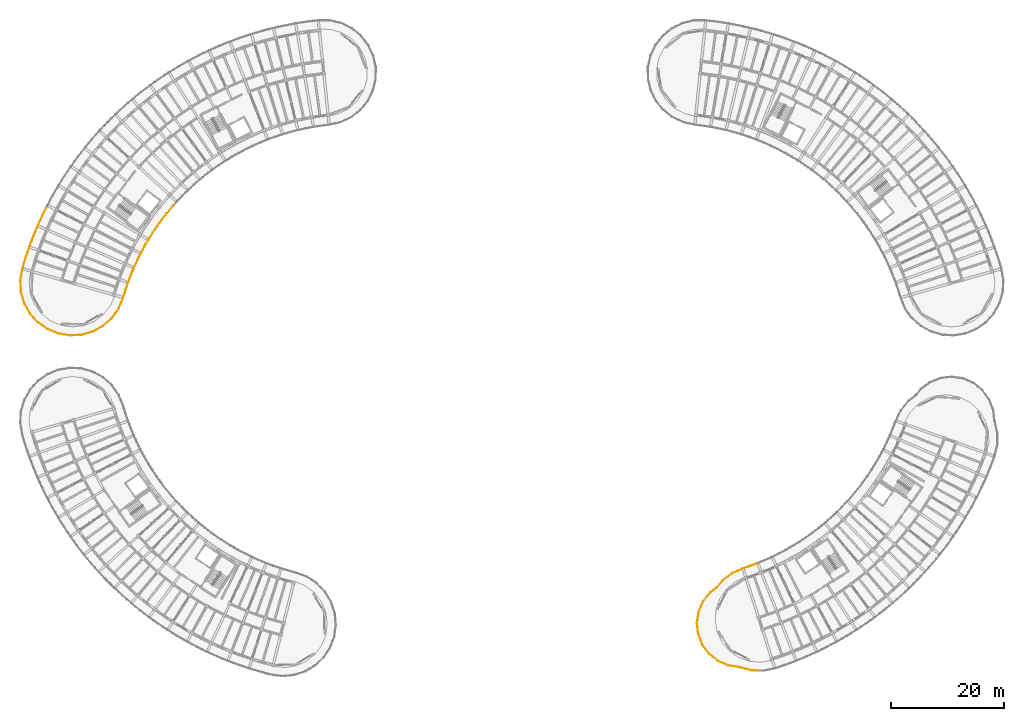
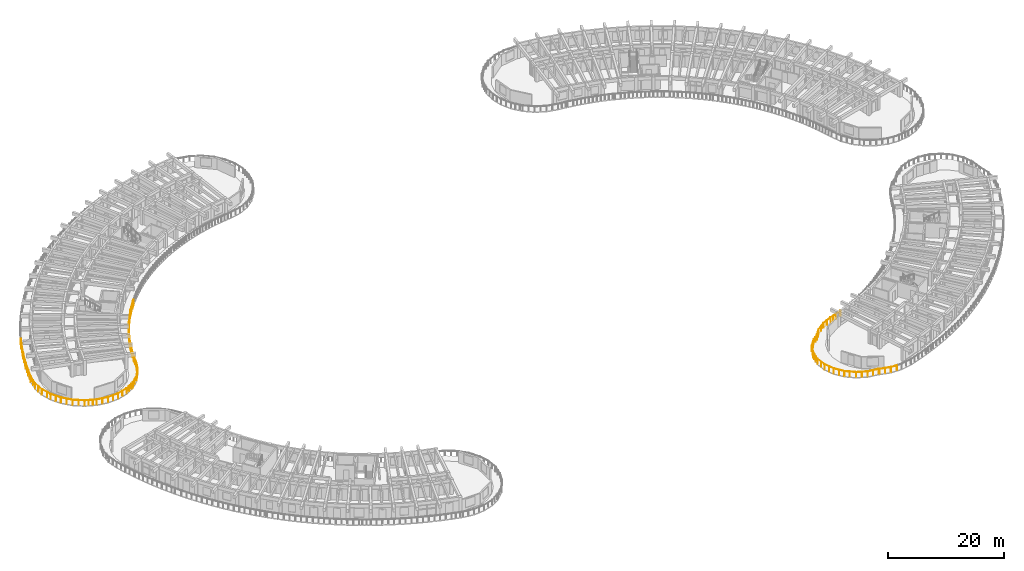
# One storey, part 69 of 81: 11 railings.
"""IFC4 building model written with IfcOpenShell, lengths in metres."""

from ifc_helpers import new_model, si_unit, direction, frame, origin, origin_2d, place, context, subcontext, project, spatial, circle, extrude, material, type_object, element, save


model = new_model("IFC4")

# Units and contexts
model_context = context("Model", 3, precision=1e-05, world=origin(), true_north=direction((0.0, 1.0)))
body_context = subcontext(model_context, "Body", "Model", "MODEL_VIEW")
ifc_project = project(units=[si_unit("LENGTHUNIT", "METRE"), si_unit("AREAUNIT", "SQUARE_METRE"), si_unit("VOLUMEUNIT", "CUBIC_METRE"), si_unit("PLANEANGLEUNIT", "RADIAN"), si_unit("MASSUNIT", "GRAM", prefix="KILO")], contexts=[model_context])

# Site, building, storey
site_placement = place(None, origin())
site = spatial("IfcSite", under=ifc_project, at=site_placement, CompositionType="ELEMENT")
building_placement = place(site_placement, origin())
building = spatial("IfcBuilding", under=site, at=building_placement, Name="Tanwirah Colonnade Gardens", CompositionType="ELEMENT")
storey_placement = place(building_placement, frame((0.0, 0.0, 18.919921875)))
storey = spatial("IfcBuildingStorey", under=building, at=storey_placement, Name="L05", CompositionType="ELEMENT", Elevation=18.919921875)

# Railings
ifc_material = material(Name="Precast concrete C40/50", Category="concrete")
railing_type_1 = type_object("IfcRailingType", Name="BAL-EXT110", PredefinedType="BALUSTRADE", material=ifc_material)
railing_1_placement = place(storey_placement, frame((129.3388671875, 20.4296875, 0.0)))
element("IfcRailing", 1, at=railing_1_placement, inside=storey, type_object=railing_type_1, Name="Block D L05 Balcony Ribbon Balustrade 1", PredefinedType="BALUSTRADE", context=body_context, shape_type="SweptSolid", body=[
    extrude(circle(Radius=0.02392578125, at=origin_2d()), frame((0.02001953125, 0.02392578125, 1.076171875), z_axis=(0.644227931343, 0.764833558676, 0.0), x_axis=(-0.764833558676, 0.644227931343, 0.0)), (0.0, 0.0, 1.0), 1.64990234375),
    extrude(circle(Radius=0.02392578125, at=origin_2d()), frame((1.128173828125, 1.32861328125, 1.076171875), z_axis=(0.798213561009, 0.602374560404, 0.0), x_axis=(-0.602374560404, 0.798213561009, 0.0)), (0.0, 0.0, 1.0), 2.0244140625),
    extrude(circle(Radius=0.02392578125, at=origin_2d()), frame((2.797607421875, 2.57958984375, 1.076171875), z_axis=(0.912318470045, 0.409481390559, 0.0), x_axis=(-0.409481390559, 0.912318470045, 0.0)), (0.0, 0.0, 1.0), 2.029541015625),
    extrude(circle(Radius=0.02392578125, at=origin_2d()), frame((4.707275390625, 3.43359375, 1.076171875), z_axis=(0.947251242872, 0.320491938866, 0.0), x_axis=(-0.320491938866, 0.947251242872, 0.0)), (0.0, 0.0, 1.0), 1.32763671875),
    extrude(circle(Radius=0.02392578125, at=origin_2d()), frame((6.0263671875, 3.881103515625, 1.076171875), z_axis=(0.936279647992, 0.351255492136, 0.0), x_axis=(-0.351255492136, 0.936279647992, 0.0)), (0.0, 0.0, 1.0), 1.153076171875),
    extrude(circle(Radius=0.02099609375, at=origin_2d()), origin(), (0.0, 0.0, 1.0), 1.049072265625),
    extrude(circle(Radius=0.02099609375, at=origin_2d()), frame((0.5517578125, 0.65478515625, 0.0)), (0.0, 0.0, 1.0), 1.049072265625),
    extrude(circle(Radius=0.02099609375, at=origin_2d()), frame((1.103271484375, 1.309814453125, 0.0)), (0.0, 0.0, 1.0), 1.049072265625),
    extrude(circle(Radius=0.02099609375, at=origin_2d()), frame((1.93603515625, 1.9384765625, 0.0)), (0.0, 0.0, 1.0), 1.049072265625),
    extrude(circle(Radius=0.02099609375, at=origin_2d()), frame((2.76904296875, 2.56689453125, 0.0)), (0.0, 0.0, 1.0), 1.049072265625),
    extrude(circle(Radius=0.02099609375, at=origin_2d()), frame((3.723388671875, 2.9951171875, 0.0)), (0.0, 0.0, 1.0), 1.049072265625),
    extrude(circle(Radius=0.02099609375, at=origin_2d()), frame((4.677734375, 3.423583984375, 0.0)), (0.0, 0.0, 1.0), 1.049072265625),
    extrude(circle(Radius=0.02099609375, at=origin_2d()), frame((5.336181640625, 3.646484375, 0.0)), (0.0, 0.0, 1.0), 1.049072265625),
    extrude(circle(Radius=0.02099609375, at=origin_2d()), frame((5.99462890625, 3.869140625, 0.0)), (0.0, 0.0, 1.0), 1.049072265625),
    extrude(circle(Radius=0.02099609375, at=origin_2d()), frame((7.13525390625, 4.297119140625, 0.0)), (0.0, 0.0, 1.0), 1.049072265625),
])
railing_2_placement = place(storey_placement, frame((136.70263671875, 5.71533203125, 0.0)))
element("IfcRailing", 2, at=railing_2_placement, inside=storey, type_object=railing_type_1, Name="Block D L05 Balcony Ribbon Balustrade 17", PredefinedType="BALUSTRADE", context=body_context, shape_type="SweptSolid", body=[
    extrude(circle(Radius=0.02392578125, at=origin_2d()), frame((-0.03125, 0.000732421875, 1.076171875), z_axis=(-0.999642426372, 0.026739846629, 0.0), x_axis=(-0.026739846629, -0.999642426372, 0.0)), (0.0, 0.0, 1.0), 1.078857421875),
    extrude(circle(Radius=0.02392578125, at=origin_2d()), frame((-1.171142578125, 0.038330078125, 1.076171875), z_axis=(-0.968609718191, 0.248586431299, 0.0), x_axis=(-0.248586431299, -0.968609718191, 0.0)), (0.0, 0.0, 1.0), 2.0244140625),
    extrude(circle(Radius=0.02392578125, at=origin_2d()), frame((-3.190185546875, 0.5634765625, 1.076171875), z_axis=(-0.889627198135, 0.456687473375, 0.0), x_axis=(-0.456687473375, -0.889627198135, 0.0)), (0.0, 0.0, 1.0), 0.071044921875),
    extrude(circle(Radius=0.02392578125, at=origin_2d()), frame((-3.3369140625, 0.623046875, 1.076171875), z_axis=(-0.989022709724, 0.147763593794, 0.0), x_axis=(-0.147763593794, -0.989022709724, 0.0)), (0.0, 0.0, 1.0), 1.903564453125),
    extrude(circle(Radius=0.02392578125, at=origin_2d()), frame((-5.279052734375, 0.92138671875, 1.076171875), z_axis=(-0.917019969173, 0.398841291917, 0.0), x_axis=(-0.398841291917, -0.917019969173, 0.0)), (0.0, 0.0, 1.0), 1.95263671875),
    extrude(circle(Radius=0.02392578125, at=origin_2d()), frame((-7.122802734375, 1.732177734375, 1.076171875), z_axis=(-0.782656034867, 0.622454440972, 0.0), x_axis=(-0.622454440972, -0.782656034867, 0.0)), (0.0, 0.0, 1.0), 1.068359375),
    extrude(circle(Radius=0.02099609375, at=origin_2d()), origin(), (0.0, 0.0, 1.0), 1.049072265625),
    extrude(circle(Radius=0.02099609375, at=origin_2d()), frame((-1.140869140625, 0.030517578125, 0.0)), (0.0, 0.0, 1.0), 1.049072265625),
    extrude(circle(Radius=0.02099609375, at=origin_2d()), frame((-2.151611328125, 0.2900390625, 0.0)), (0.0, 0.0, 1.0), 1.049072265625),
    extrude(circle(Radius=0.02099609375, at=origin_2d()), frame((-3.162353515625, 0.54931640625, 0.0)), (0.0, 0.0, 1.0), 1.049072265625),
    extrude(circle(Radius=0.02099609375, at=origin_2d()), frame((-3.28125, 0.6103515625, 0.0)), (0.0, 0.0, 1.0), 1.049072265625),
    extrude(circle(Radius=0.02099609375, at=origin_2d()), frame((-4.2783203125, 0.763671875, 0.0)), (0.0, 0.0, 1.0), 1.049072265625),
    extrude(circle(Radius=0.02099609375, at=origin_2d()), frame((-5.25048828125, 0.908935546875, 0.0)), (0.0, 0.0, 1.0), 1.049072265625),
    extrude(circle(Radius=0.02099609375, at=origin_2d()), frame((-6.17431640625, 1.310791015625, 0.0)), (0.0, 0.0, 1.0), 1.049072265625),
    extrude(circle(Radius=0.02099609375, at=origin_2d()), frame((-7.098388671875, 1.712646484375, 0.0)), (0.0, 0.0, 1.0), 1.049072265625),
    extrude(circle(Radius=0.02099609375, at=origin_2d()), frame((-7.9833984375, 2.41650390625, 0.0)), (0.0, 0.0, 1.0), 1.049072265625),
])
railing_3_placement = place(storey_placement, frame((128.71923828125, 8.1318359375, 0.0)))
element("IfcRailing", 3, at=railing_3_placement, inside=storey, type_object=railing_type_1, Name="Block D L05 Balcony Ribbon Balustrade 18", PredefinedType="BALUSTRADE", context=body_context, shape_type="SweptSolid", body=[
    extrude(circle(Radius=0.02392578125, at=origin_2d()), frame((-0.0244140625, 0.01953125, 1.076171875), z_axis=(-0.782616336967, 0.622504352685, 0.0), x_axis=(-0.622504352685, -0.782616336967, 0.0)), (0.0, 0.0, 1.0), 0.82177734375),
    extrude(circle(Radius=0.02392578125, at=origin_2d()), frame((-0.710693359375, 0.57568359375, 1.076171875), z_axis=(-0.594850833689, 0.803836106218, 0.0), x_axis=(-0.803836106218, -0.594850833689, 0.0)), (0.0, 0.0, 1.0), 1.95263671875),
    extrude(circle(Radius=0.02392578125, at=origin_2d()), frame((-1.90234375, 2.199462890625, 1.076171875), z_axis=(-0.366476847839, 0.930427170711, 0.0), x_axis=(-0.930427170711, -0.366476847839, 0.0)), (0.0, 0.0, 1.0), 1.95263671875),
    extrude(circle(Radius=0.02392578125, at=origin_2d()), frame((-2.6328125, 4.076416015625, 1.076171875), z_axis=(-0.113157056945, 0.993577113496, 0.0), x_axis=(-0.993577113496, -0.113157056945, 0.0)), (0.0, 0.0, 1.0), 1.95263671875),
    extrude(circle(Radius=0.02392578125, at=origin_2d()), frame((-2.852783203125, 6.07861328125, 1.076171875), z_axis=(0.147884191037, 0.98900468454, 0.0), x_axis=(-0.98900468454, 0.147884191037, 0.0)), (0.0, 0.0, 1.0), 1.507568359375),
    extrude(circle(Radius=0.02099609375, at=origin_2d()), origin(), (0.0, 0.0, 1.0), 1.049072265625),
    extrude(circle(Radius=0.02099609375, at=origin_2d()), frame((-0.692138671875, 0.550537109375, 0.0)), (0.0, 0.0, 1.0), 1.049072265625),
    extrude(circle(Radius=0.02099609375, at=origin_2d()), frame((-1.29150390625, 1.3603515625, 0.0)), (0.0, 0.0, 1.0), 1.049072265625),
    extrude(circle(Radius=0.02099609375, at=origin_2d()), frame((-1.890869140625, 2.17041015625, 0.0)), (0.0, 0.0, 1.0), 1.049072265625),
    extrude(circle(Radius=0.02099609375, at=origin_2d()), frame((-2.26025390625, 3.10791015625, 0.0)), (0.0, 0.0, 1.0), 1.049072265625),
    extrude(circle(Radius=0.02099609375, at=origin_2d()), frame((-2.62939453125, 4.04541015625, 0.0)), (0.0, 0.0, 1.0), 1.049072265625),
    extrude(circle(Radius=0.02099609375, at=origin_2d()), frame((-2.743408203125, 5.04638671875, 0.0)), (0.0, 0.0, 1.0), 1.049072265625),
    extrude(circle(Radius=0.02099609375, at=origin_2d()), frame((-2.857421875, 6.047607421875, 0.0)), (0.0, 0.0, 1.0), 1.049072265625),
    extrude(circle(Radius=0.02099609375, at=origin_2d()), frame((-2.7412109375, 6.823974609375, 0.0)), (0.0, 0.0, 1.0), 1.049072265625),
    extrude(circle(Radius=0.02099609375, at=origin_2d()), frame((-2.625244140625, 7.600341796875, 0.0)), (0.0, 0.0, 1.0), 1.049072265625),
])
railing_4_placement = place(storey_placement, frame((126.093994140625, 15.732177734375, 0.0)))
element("IfcRailing", 4, at=railing_4_placement, inside=storey, type_object=railing_type_1, Name="Block D L05 Balcony Ribbon Balustrade 19", PredefinedType="BALUSTRADE", context=body_context, shape_type="SweptSolid", body=[
    extrude(circle(Radius=0.02392578125, at=origin_2d()), frame((0.004638671875, 0.031005859375, 1.076171875), z_axis=(0.147562498735, 0.989052733158, 0.0), x_axis=(-0.989052733158, 0.147562498735, 0.0)), (0.0, 0.0, 1.0), 0.382568359375),
    extrude(circle(Radius=0.02392578125, at=origin_2d()), frame((0.078125, 0.46875, 1.076171875), z_axis=(0.398739402436, 0.917064277434, 0.0), x_axis=(-0.917064277434, 0.398739402436, 0.0)), (0.0, 0.0, 1.0), 1.952392578125),
    extrude(circle(Radius=0.02392578125, at=origin_2d()), frame((0.888671875, 2.3125, 1.076171875), z_axis=(0.622550545589, 0.782579592237, 0.0), x_axis=(-0.782579592237, 0.622550545589, 0.0)), (0.0, 0.0, 1.0), 1.952880859375),
    extrude(circle(Radius=0.02392578125, at=origin_2d()), frame((2.14892578125, 3.8837890625, 1.076171875), z_axis=(0.803811394159, 0.594884226233, 0.0), x_axis=(-0.594884226233, 0.803811394159, 0.0)), (0.0, 0.0, 1.0), 1.315185546875),
    extrude(circle(Radius=0.02099609375, at=origin_2d()), origin(), (0.0, 0.0, 1.0), 1.049072265625),
    extrude(circle(Radius=0.02099609375, at=origin_2d()), frame((0.065673828125, 0.440185546875, 0.0)), (0.0, 0.0, 1.0), 1.049072265625),
    extrude(circle(Radius=0.02099609375, at=origin_2d()), frame((0.46728515625, 1.3642578125, 0.0)), (0.0, 0.0, 1.0), 1.049072265625),
    extrude(circle(Radius=0.02099609375, at=origin_2d()), frame((0.869140625, 2.2880859375, 0.0)), (0.0, 0.0, 1.0), 1.049072265625),
    extrude(circle(Radius=0.02099609375, at=origin_2d()), frame((1.49658203125, 3.07666015625, 0.0)), (0.0, 0.0, 1.0), 1.049072265625),
    extrude(circle(Radius=0.02099609375, at=origin_2d()), frame((2.123779296875, 3.865234375, 0.0)), (0.0, 0.0, 1.0), 1.049072265625),
    extrude(circle(Radius=0.02099609375, at=origin_2d()), frame((2.677490234375, 4.27490234375, 0.0)), (0.0, 0.0, 1.0), 1.049072265625),
    extrude(circle(Radius=0.02099609375, at=origin_2d()), frame((3.231201171875, 4.684814453125, 0.0)), (0.0, 0.0, 1.0), 1.049072265625),
])
railing_type_2 = type_object("IfcRailingType", Name="BAL-EXT112", PredefinedType="BALUSTRADE", material=ifc_material)
railing_5_placement = place(storey_placement, frame((32.869384765625, 88.28515625, 0.0)))
element("IfcRailing", 5, at=railing_5_placement, inside=storey, type_object=railing_type_2, Name="Block A L05 Balcony Ribbon Balustrade 5", PredefinedType="BALUSTRADE", context=body_context, shape_type="SweptSolid", body=[
    extrude(circle(Radius=0.02392578125, at=origin_2d()), frame((-0.020751953125, -0.0234375, 1.09619140625), z_axis=(-0.662562077046, -0.749007005348, 0.0), x_axis=(0.749007005348, -0.662562077046, 0.0)), (0.0, 0.0, 1.0), 0.3837890625),
    extrude(circle(Radius=0.02392578125, at=origin_2d()), frame((-0.3173828125, -0.3603515625, 1.09619140625), z_axis=(-0.637581943595, -0.770382544715, 0.0), x_axis=(0.770382544715, -0.637581943595, 0.0)), (0.0, 0.0, 1.0), 1.342041015625),
    extrude(circle(Radius=0.02392578125, at=origin_2d()), frame((-1.213623046875, -1.44482421875, 1.09619140625), z_axis=(-0.611783903817, -0.791024939576, 0.0), x_axis=(0.791024939576, -0.611783903817, 0.0)), (0.0, 0.0, 1.0), 1.341796875),
    extrude(circle(Radius=0.02392578125, at=origin_2d()), frame((-2.073486328125, -2.55859375, 1.09619140625), z_axis=(-0.585522290474, -0.810656306556, 0.0), x_axis=(0.810656306556, -0.585522290474, 0.0)), (0.0, 0.0, 1.0), 1.341796875),
    extrude(circle(Radius=0.02392578125, at=origin_2d()), frame((-2.896484375, -3.69970703125, 1.09619140625), z_axis=(-0.558385571779, -0.829581553091, 0.0), x_axis=(0.829581553091, -0.558385571779, 0.0)), (0.0, 0.0, 1.0), 1.341796875),
    extrude(circle(Radius=0.02392578125, at=origin_2d()), frame((-3.68115234375, -4.86767578125, 1.09619140625), z_axis=(-0.530764445851, -0.847519382091, 0.0), x_axis=(0.847519382091, -0.530764445851, 0.0)), (0.0, 0.0, 1.0), 1.341796875),
    extrude(circle(Radius=0.02392578125, at=origin_2d()), frame((-4.427001953125, -6.060546875, 1.09619140625), z_axis=(-0.502361540351, -0.864657667968, 0.0), x_axis=(0.864657667968, -0.502361540351, 0.0)), (0.0, 0.0, 1.0), 0.95361328125),
    extrude(circle(Radius=0.02099609375, at=origin_2d()), origin(), (0.0, 0.0, 1.0), 1.069091796875),
    extrude(circle(Radius=0.02099609375, at=origin_2d()), frame((-0.295654296875, -0.334228515625, 0.0)), (0.0, 0.0, 1.0), 1.069091796875),
    extrude(circle(Radius=0.02099609375, at=origin_2d()), frame((-0.7451171875, -0.877197265625, 0.0)), (0.0, 0.0, 1.0), 1.069091796875),
    extrude(circle(Radius=0.02099609375, at=origin_2d()), frame((-1.19287109375, -1.418212890625, 0.0)), (0.0, 0.0, 1.0), 1.069091796875),
    extrude(circle(Radius=0.02099609375, at=origin_2d()), frame((-1.6240234375, -1.9755859375, 0.0)), (0.0, 0.0, 1.0), 1.069091796875),
    extrude(circle(Radius=0.02099609375, at=origin_2d()), frame((-2.0537109375, -2.531005859375, 0.0)), (0.0, 0.0, 1.0), 1.069091796875),
    extrude(circle(Radius=0.02099609375, at=origin_2d()), frame((-2.46630859375, -3.1025390625, 0.0)), (0.0, 0.0, 1.0), 1.069091796875),
    extrude(circle(Radius=0.02099609375, at=origin_2d()), frame((-2.87744140625, -3.671630859375, 0.0)), (0.0, 0.0, 1.0), 1.069091796875),
    extrude(circle(Radius=0.02099609375, at=origin_2d()), frame((-3.27099609375, -4.25634765625, 0.0)), (0.0, 0.0, 1.0), 1.069091796875),
    extrude(circle(Radius=0.02099609375, at=origin_2d()), frame((-3.6630859375, -4.8388671875, 0.0)), (0.0, 0.0, 1.0), 1.069091796875),
    extrude(circle(Radius=0.02099609375, at=origin_2d()), frame((-4.037109375, -5.43603515625, 0.0)), (0.0, 0.0, 1.0), 1.069091796875),
    extrude(circle(Radius=0.02099609375, at=origin_2d()), frame((-4.409912109375, -6.03125, 0.0)), (0.0, 0.0, 1.0), 1.069091796875),
    extrude(circle(Radius=0.02099609375, at=origin_2d()), frame((-4.921875, -6.912109375, 0.0)), (0.0, 0.0, 1.0), 1.069091796875),
])
railing_6_placement = place(storey_placement, frame((27.947509765625, 81.373046875, 0.0)))
element("IfcRailing", 6, at=railing_6_placement, inside=storey, type_object=railing_type_2, Name="Block A L05 Balcony Ribbon Balustrade 6", PredefinedType="BALUSTRADE", context=body_context, shape_type="SweptSolid", body=[
    extrude(circle(Radius=0.02392578125, at=origin_2d()), frame((-0.015625, -0.027099609375, 1.09619140625), z_axis=(-0.502423717067, -0.864621540634, 0.0), x_axis=(0.864621540634, -0.502423717067, 0.0)), (0.0, 0.0, 1.0), 0.32568359375),
    extrude(circle(Radius=0.02392578125, at=origin_2d()), frame((-0.211181640625, -0.365478515625, 1.09619140625), z_axis=(-0.473716211853, -0.880677552018, 0.0), x_axis=(0.880677552018, -0.473716211853, 0.0)), (0.0, 0.0, 1.0), 1.341796875),
    extrude(circle(Radius=0.02392578125, at=origin_2d()), frame((-0.876708984375, -1.60498046875, 1.09619140625), z_axis=(-0.444499692011, -0.895779003885, 0.0), x_axis=(0.895779003885, -0.444499692011, 0.0)), (0.0, 0.0, 1.0), 1.341796875),
    extrude(circle(Radius=0.02392578125, at=origin_2d()), frame((-1.501220703125, -2.865966796875, 1.09619140625), z_axis=(-0.414654197084, -0.909979063957, 0.0), x_axis=(0.909979063957, -0.414654197084, 0.0)), (0.0, 0.0, 1.0), 1.341796875),
    extrude(circle(Radius=0.02392578125, at=origin_2d()), frame((-2.08349609375, -4.146484375, 1.09619140625), z_axis=(-0.384541319971, -0.923107779858, 0.0), x_axis=(0.923107779858, -0.384541319971, 0.0)), (0.0, 0.0, 1.0), 1.341796875),
    extrude(circle(Radius=0.02392578125, at=origin_2d()), frame((-2.62353515625, -5.44580078125, 1.09619140625), z_axis=(-0.353789339155, -0.935325132508, 0.0), x_axis=(0.935325132508, -0.353789339155, 0.0)), (0.0, 0.0, 1.0), 1.341796875),
    extrude(circle(Radius=0.02392578125, at=origin_2d()), frame((-3.120361328125, -6.761962890625, 1.09619140625), z_axis=(-0.322900627553, -0.946432873862, 0.0), x_axis=(0.946432873862, -0.322900627553, 0.0)), (0.0, 0.0, 1.0), 1.011962890625),
    extrude(circle(Radius=0.02099609375, at=origin_2d()), origin(), (0.0, 0.0, 1.0), 1.069091796875),
    extrude(circle(Radius=0.02099609375, at=origin_2d()), frame((-0.195068359375, -0.335693359375, 0.0)), (0.0, 0.0, 1.0), 1.069091796875),
    extrude(circle(Radius=0.02099609375, at=origin_2d()), frame((-0.52880859375, -0.956298828125, 0.0)), (0.0, 0.0, 1.0), 1.069091796875),
    extrude(circle(Radius=0.02099609375, at=origin_2d()), frame((-0.861572265625, -1.57470703125, 0.0)), (0.0, 0.0, 1.0), 1.069091796875),
    extrude(circle(Radius=0.02099609375, at=origin_2d()), frame((-1.1748046875, -2.2060546875, 0.0)), (0.0, 0.0, 1.0), 1.069091796875),
    extrude(circle(Radius=0.02099609375, at=origin_2d()), frame((-1.487060546875, -2.8349609375, 0.0)), (0.0, 0.0, 1.0), 1.069091796875),
    extrude(circle(Radius=0.02099609375, at=origin_2d()), frame((-1.779296875, -3.476318359375, 0.0)), (0.0, 0.0, 1.0), 1.069091796875),
    extrude(circle(Radius=0.02099609375, at=origin_2d()), frame((-2.070556640625, -4.115234375, 0.0)), (0.0, 0.0, 1.0), 1.069091796875),
    extrude(circle(Radius=0.02099609375, at=origin_2d()), frame((-2.341552734375, -4.765869140625, 0.0)), (0.0, 0.0, 1.0), 1.069091796875),
    extrude(circle(Radius=0.02099609375, at=origin_2d()), frame((-2.611572265625, -5.4140625, 0.0)), (0.0, 0.0, 1.0), 1.069091796875),
    extrude(circle(Radius=0.02099609375, at=origin_2d()), frame((-2.86083984375, -6.0732421875, 0.0)), (0.0, 0.0, 1.0), 1.069091796875),
    extrude(circle(Radius=0.02099609375, at=origin_2d()), frame((-3.109375, -6.72998046875, 0.0)), (0.0, 0.0, 1.0), 1.069091796875),
    extrude(circle(Radius=0.02099609375, at=origin_2d()), frame((-3.457275390625, -7.749267578125, 0.0)), (0.0, 0.0, 1.0), 1.069091796875),
])
railing_7_placement = place(storey_placement, frame((24.490234375, 73.623779296875, 0.0)))
element("IfcRailing", 7, at=railing_7_placement, inside=storey, type_object=railing_type_2, Name="Block A L05 Balcony Ribbon Balustrade 7", PredefinedType="BALUSTRADE", context=body_context, shape_type="SweptSolid", body=[
    extrude(circle(Radius=0.02392578125, at=origin_2d()), frame((-0.010009765625, -0.029541015625, 1.09619140625), z_axis=(-0.322432998428, -0.946592288963, 0.0), x_axis=(0.946592288963, -0.322432998428, 0.0)), (0.0, 0.0, 1.0), 0.267578125),
    extrude(circle(Radius=0.02392578125, at=origin_2d()), frame((-0.1162109375, -0.3447265625, 1.09619140625), z_axis=(-0.29148764702, -0.956574592823, 0.0), x_axis=(0.956574592823, -0.29148764702, 0.0)), (0.0, 0.0, 1.0), 1.337890625),
    extrude(circle(Radius=0.02392578125, at=origin_2d()), frame((-0.52734375, -1.683349609375, 1.09619140625), z_axis=(-0.381489237895, -0.92437328032, 0.0), x_axis=(0.92437328032, -0.381489237895, 0.0)), (0.0, 0.0, 1.0), 2.029541015625),
    extrude(circle(Radius=0.02392578125, at=origin_2d()), frame((-1.33154296875, -3.614013671875, 1.09619140625), z_axis=(-0.577647272924, -0.816286486525, 0.0), x_axis=(0.816286486525, -0.577647272924, 0.0)), (0.0, 0.0, 1.0), 2.0244140625),
    extrude(circle(Radius=0.02392578125, at=origin_2d()), frame((-2.542236328125, -5.312744140625, 1.09619140625), z_axis=(-0.744822012119, -0.667263194146, 0.0), x_axis=(0.667263194146, -0.744822012119, 0.0)), (0.0, 0.0, 1.0), 2.0244140625),
    extrude(circle(Radius=0.02392578125, at=origin_2d()), frame((-4.100830078125, -6.69970703125, 1.09619140625), z_axis=(-0.874616555828, -0.48481530532, 0.0), x_axis=(0.48481530532, -0.874616555828, 0.0)), (0.0, 0.0, 1.0), 0.4384765625),
    extrude(circle(Radius=0.02099609375, at=origin_2d()), origin(), (0.0, 0.0, 1.0), 1.069091796875),
    extrude(circle(Radius=0.02099609375, at=origin_2d()), frame((-0.1064453125, -0.3125, 0.0)), (0.0, 0.0, 1.0), 1.069091796875),
    extrude(circle(Radius=0.02099609375, at=origin_2d()), frame((-0.311279296875, -0.98486328125, 0.0)), (0.0, 0.0, 1.0), 1.069091796875),
    extrude(circle(Radius=0.02099609375, at=origin_2d()), frame((-0.515380859375, -1.654541015625, 0.0)), (0.0, 0.0, 1.0), 1.069091796875),
    extrude(circle(Radius=0.02099609375, at=origin_2d()), frame((-0.91455078125, -2.62158203125, 0.0)), (0.0, 0.0, 1.0), 1.069091796875),
    extrude(circle(Radius=0.02099609375, at=origin_2d()), frame((-1.3134765625, -3.58837890625, 0.0)), (0.0, 0.0, 1.0), 1.069091796875),
    extrude(circle(Radius=0.02099609375, at=origin_2d()), frame((-1.916259765625, -4.440185546875, 0.0)), (0.0, 0.0, 1.0), 1.069091796875),
    extrude(circle(Radius=0.02099609375, at=origin_2d()), frame((-2.51904296875, -5.2919921875, 0.0)), (0.0, 0.0, 1.0), 1.069091796875),
    extrude(circle(Radius=0.02099609375, at=origin_2d()), frame((-3.29638671875, -5.98828125, 0.0)), (0.0, 0.0, 1.0), 1.069091796875),
    extrude(circle(Radius=0.02099609375, at=origin_2d()), frame((-4.073486328125, -6.6845703125, 0.0)), (0.0, 0.0, 1.0), 1.069091796875),
    extrude(circle(Radius=0.02099609375, at=origin_2d()), frame((-4.51171875, -6.927490234375, 0.0)), (0.0, 0.0, 1.0), 1.069091796875),
])
railing_8_placement = place(storey_placement, frame((19.978515625, 66.6962890625, 0.0)))
element("IfcRailing", 8, at=railing_8_placement, inside=storey, type_object=railing_type_2, Name="Block A L05 Balcony Ribbon Balustrade 8", PredefinedType="BALUSTRADE", context=body_context, shape_type="SweptSolid", body=[
    extrude(circle(Radius=0.02392578125, at=origin_2d()), frame((-0.02734375, -0.01513671875, 1.09619140625), z_axis=(-0.874621647365, -0.48480611997, 0.0), x_axis=(0.48480611997, -0.874621647365, 0.0)), (0.0, 0.0, 1.0), 1.523193359375),
    extrude(circle(Radius=0.02392578125, at=origin_2d()), frame((-1.4169921875, -0.777587890625, 1.09619140625), z_axis=(-0.960560153031, -0.278072279108, 0.0), x_axis=(0.278072279108, -0.960560153031, 0.0)), (0.0, 0.0, 1.0), 2.0244140625),
    extrude(circle(Radius=0.02392578125, at=origin_2d()), frame((-3.4228515625, -1.350830078125, 1.09619140625), z_axis=(-0.998362374442, -0.057206374631, 0.0), x_axis=(0.057206374631, -0.998362374442, 0.0)), (0.0, 0.0, 1.0), 2.0244140625),
    extrude(circle(Radius=0.02392578125, at=origin_2d()), frame((-5.505859375, -1.46337890625, 1.09619140625), z_axis=(-0.986085511051, 0.166238879013, 0.0), x_axis=(-0.166238879013, -0.986085511051, 0.0)), (0.0, 0.0, 1.0), 2.0244140625),
    extrude(circle(Radius=0.02392578125, at=origin_2d()), frame((-7.561767578125, -1.109619140625, 1.09619140625), z_axis=(-0.924376024919, 0.381482587487, 0.0), x_axis=(-0.381482587487, -0.924376024919, 0.0)), (0.0, 0.0, 1.0), 0.5908203125),
    extrude(circle(Radius=0.02099609375, at=origin_2d()), origin(), (0.0, 0.0, 1.0), 1.069091796875),
    extrude(circle(Radius=0.02099609375, at=origin_2d()), frame((-0.693359375, -0.38427734375, 0.0)), (0.0, 0.0, 1.0), 1.069091796875),
    extrude(circle(Radius=0.02099609375, at=origin_2d()), frame((-1.386962890625, -0.768798828125, 0.0)), (0.0, 0.0, 1.0), 1.069091796875),
    extrude(circle(Radius=0.02099609375, at=origin_2d()), frame((-2.38916015625, -1.05908203125, 0.0)), (0.0, 0.0, 1.0), 1.069091796875),
    extrude(circle(Radius=0.02099609375, at=origin_2d()), frame((-3.3916015625, -1.34912109375, 0.0)), (0.0, 0.0, 1.0), 1.069091796875),
    extrude(circle(Radius=0.02099609375, at=origin_2d()), frame((-4.433349609375, -1.40869140625, 0.0)), (0.0, 0.0, 1.0), 1.069091796875),
    extrude(circle(Radius=0.02099609375, at=origin_2d()), frame((-5.47509765625, -1.468505859375, 0.0)), (0.0, 0.0, 1.0), 1.069091796875),
    extrude(circle(Radius=0.02099609375, at=origin_2d()), frame((-6.50390625, -1.294921875, 0.0)), (0.0, 0.0, 1.0), 1.069091796875),
    extrude(circle(Radius=0.02099609375, at=origin_2d()), frame((-7.532958984375, -1.12158203125, 0.0)), (0.0, 0.0, 1.0), 1.069091796875),
    extrude(circle(Radius=0.02099609375, at=origin_2d()), frame((-8.136962890625, -0.872314453125, 0.0)), (0.0, 0.0, 1.0), 1.069091796875),
])
railing_9_placement = place(storey_placement, frame((11.841552734375, 65.823974609375, 0.0)))
element("IfcRailing", 9, at=railing_9_placement, inside=storey, type_object=railing_type_2, Name="Block A L05 Balcony Ribbon Balustrade 9", PredefinedType="BALUSTRADE", context=body_context, shape_type="SweptSolid", body=[
    extrude(circle(Radius=0.02392578125, at=origin_2d()), frame((-0.02880859375, 0.011962890625, 1.09619140625), z_axis=(-0.924356771704, 0.381529236893, 0.0), x_axis=(-0.381529236893, -0.924356771704, 0.0)), (0.0, 0.0, 1.0), 1.370849609375),
    extrude(circle(Radius=0.02392578125, at=origin_2d()), frame((-1.3505859375, 0.56494140625, 1.09619140625), z_axis=(-0.816286486525, 0.577647272924, 0.0), x_axis=(-0.577647272924, -0.816286486525, 0.0)), (0.0, 0.0, 1.0), 2.0244140625),
    extrude(circle(Radius=0.02392578125, at=origin_2d()), frame((-3.04931640625, 1.775634765625, 1.09619140625), z_axis=(-0.667263194146, 0.744822012119, 0.0), x_axis=(-0.744822012119, -0.667263194146, 0.0)), (0.0, 0.0, 1.0), 2.0244140625),
    extrude(circle(Radius=0.02392578125, at=origin_2d()), frame((-4.436279296875, 3.334228515625, 1.09619140625), z_axis=(-0.484808325403, 0.874620424882, 0.0), x_axis=(-0.874620424882, -0.484808325403, 0.0)), (0.0, 0.0, 1.0), 2.0244140625),
    extrude(circle(Radius=0.02392578125, at=origin_2d()), frame((-5.441650390625, 5.162109375, 1.09619140625), z_axis=(-0.277881479948, 0.960615366888, 0.0), x_axis=(-0.960615366888, -0.277881479948, 0.0)), (0.0, 0.0, 1.0), 0.7431640625),
    extrude(circle(Radius=0.02099609375, at=origin_2d()), origin(), (0.0, 0.0, 1.0), 1.069091796875),
    extrude(circle(Radius=0.02099609375, at=origin_2d()), frame((-0.66259765625, 0.2734375, 0.0)), (0.0, 0.0, 1.0), 1.069091796875),
    extrude(circle(Radius=0.02099609375, at=origin_2d()), frame((-1.324951171875, 0.546875, 0.0)), (0.0, 0.0, 1.0), 1.069091796875),
    extrude(circle(Radius=0.02099609375, at=origin_2d()), frame((-2.1767578125, 1.149658203125, 0.0)), (0.0, 0.0, 1.0), 1.069091796875),
    extrude(circle(Radius=0.02099609375, at=origin_2d()), frame((-3.028564453125, 1.75244140625, 0.0)), (0.0, 0.0, 1.0), 1.069091796875),
    extrude(circle(Radius=0.02099609375, at=origin_2d()), frame((-3.724853515625, 2.52978515625, 0.0)), (0.0, 0.0, 1.0), 1.069091796875),
    extrude(circle(Radius=0.02099609375, at=origin_2d()), frame((-4.421142578125, 3.306884765625, 0.0)), (0.0, 0.0, 1.0), 1.069091796875),
    extrude(circle(Radius=0.02099609375, at=origin_2d()), frame((-4.927001953125, 4.219482421875, 0.0)), (0.0, 0.0, 1.0), 1.069091796875),
    extrude(circle(Radius=0.02099609375, at=origin_2d()), frame((-5.432861328125, 5.132080078125, 0.0)), (0.0, 0.0, 1.0), 1.069091796875),
    extrude(circle(Radius=0.02099609375, at=origin_2d()), frame((-5.65673828125, 5.906005859375, 0.0)), (0.0, 0.0, 1.0), 1.069091796875),
])
railing_10_placement = place(storey_placement, frame((6.184814453125, 71.72998046875, 0.0)))
element("IfcRailing", 10, at=railing_10_placement, inside=storey, type_object=railing_type_2, Name="Block A L05 Balcony Ribbon Balustrade 10", PredefinedType="BALUSTRADE", context=body_context, shape_type="SweptSolid", body=[
    extrude(circle(Radius=0.02392578125, at=origin_2d()), frame((-0.0087890625, 0.030029296875, 1.09619140625), z_axis=(-0.278016434724, 0.960576317646, 0.0), x_axis=(-0.960576317646, -0.278016434724, 0.0)), (0.0, 0.0, 1.0), 1.21875),
    extrude(circle(Radius=0.02392578125, at=origin_2d()), frame((-0.35791015625, 1.261962890625, 1.09619140625), z_axis=(-0.057322977065, 0.998355686266, 0.0), x_axis=(-0.998355686266, -0.057322977065, 0.0)), (0.0, 0.0, 1.0), 2.0244140625),
    extrude(circle(Radius=0.02392578125, at=origin_2d()), frame((-0.470703125, 3.344970703125, 1.09619140625), z_axis=(0.166292387508, 0.986076488847, 0.0), x_axis=(-0.986076488847, 0.166292387508, 0.0)), (0.0, 0.0, 1.0), 2.028076171875),
    extrude(circle(Radius=0.02392578125, at=origin_2d()), frame((-0.119140625, 5.405517578125, 1.09619140625), z_axis=(0.291363831298, 0.956612313224, 0.0), x_axis=(-0.956612313224, 0.291363831298, 0.0)), (0.0, 0.0, 1.0), 1.955078125),
    extrude(circle(Radius=0.02392578125, at=origin_2d()), frame((0.4697265625, 7.33544921875, 1.09619140625), z_axis=(0.322945869443, 0.946417437186, 0.0), x_axis=(-0.946417437186, 0.322945869443, 0.0)), (0.0, 0.0, 1.0), 0.961181640625),
    extrude(circle(Radius=0.02099609375, at=origin_2d()), origin(), (0.0, 0.0, 1.0), 1.069091796875),
    extrude(circle(Radius=0.02099609375, at=origin_2d()), frame((-0.356201171875, 1.230712890625, 0.0)), (0.0, 0.0, 1.0), 1.069091796875),
    extrude(circle(Radius=0.02099609375, at=origin_2d()), frame((-0.416015625, 2.2724609375, 0.0)), (0.0, 0.0, 1.0), 1.069091796875),
    extrude(circle(Radius=0.02099609375, at=origin_2d()), frame((-0.475830078125, 3.314208984375, 0.0)), (0.0, 0.0, 1.0), 1.069091796875),
    extrude(circle(Radius=0.02099609375, at=origin_2d()), frame((-0.302001953125, 4.344970703125, 0.0)), (0.0, 0.0, 1.0), 1.069091796875),
    extrude(circle(Radius=0.02099609375, at=origin_2d()), frame((-0.128173828125, 5.375732421875, 0.0)), (0.0, 0.0, 1.0), 1.069091796875),
    extrude(circle(Radius=0.02099609375, at=origin_2d()), frame((0.165771484375, 6.3408203125, 0.0)), (0.0, 0.0, 1.0), 1.069091796875),
    extrude(circle(Radius=0.02099609375, at=origin_2d()), frame((0.459716796875, 7.305908203125, 0.0)), (0.0, 0.0, 1.0), 1.069091796875),
    extrude(circle(Radius=0.02099609375, at=origin_2d()), frame((0.790283203125, 8.274658203125, 0.0)), (0.0, 0.0, 1.0), 1.069091796875),
])
railing_11_placement = place(storey_placement, frame((6.97509765625, 80.004638671875, 0.0)))
element("IfcRailing", 11, at=railing_11_placement, inside=storey, type_object=railing_type_2, Name="Block A L05 Balcony Ribbon Balustrade 11", PredefinedType="BALUSTRADE", context=body_context, shape_type="SweptSolid", body=[
    extrude(circle(Radius=0.02392578125, at=origin_2d()), frame((0.010009765625, 0.029541015625, 1.09619140625), z_axis=(0.322753642414, 0.946483008991, 0.0), x_axis=(-0.946483008991, 0.322753642414, 0.0)), (0.0, 0.0, 1.0), 0.935302734375),
    extrude(circle(Radius=0.02392578125, at=origin_2d()), frame((0.3330078125, 0.9736328125, 1.09619140625), z_axis=(0.353874964852, 0.935292739869, 0.0), x_axis=(-0.935292739869, 0.353874964852, 0.0)), (0.0, 0.0, 1.0), 1.958984375),
    extrude(circle(Radius=0.02392578125, at=origin_2d()), frame((1.04931640625, 2.86376953125, 1.09619140625), z_axis=(0.384409566544, 0.92316265368, 0.0), x_axis=(-0.92316265368, 0.384409566544, 0.0)), (0.0, 0.0, 1.0), 1.958984375),
    extrude(circle(Radius=0.02392578125, at=origin_2d()), frame((1.827392578125, 4.729736328125, 1.09619140625), z_axis=(0.414749084938, 0.909935820013, 0.0), x_axis=(-0.909935820013, 0.414749084938, 0.0)), (0.0, 0.0, 1.0), 1.958984375),
    extrude(circle(Radius=0.02392578125, at=origin_2d()), frame((2.666748046875, 6.568603515625, 1.09619140625), z_axis=(0.444426333087, 0.895815401999, 0.0), x_axis=(-0.895815401999, 0.444426333087, 0.0)), (0.0, 0.0, 1.0), 1.375),
    extrude(circle(Radius=0.02099609375, at=origin_2d()), origin(), (0.0, 0.0, 1.0), 1.069091796875),
    extrude(circle(Radius=0.02099609375, at=origin_2d()), frame((0.322021484375, 0.9443359375, 0.0)), (0.0, 0.0, 1.0), 1.069091796875),
    extrude(circle(Radius=0.02099609375, at=origin_2d()), frame((0.6796875, 1.8896484375, 0.0)), (0.0, 0.0, 1.0), 1.069091796875),
    extrude(circle(Radius=0.02099609375, at=origin_2d()), frame((1.037353515625, 2.8349609375, 0.0)), (0.0, 0.0, 1.0), 1.069091796875),
    extrude(circle(Radius=0.02099609375, at=origin_2d()), frame((1.42578125, 3.76806640625, 0.0)), (0.0, 0.0, 1.0), 1.069091796875),
    extrude(circle(Radius=0.02099609375, at=origin_2d()), frame((1.814453125, 4.701171875, 0.0)), (0.0, 0.0, 1.0), 1.069091796875),
    extrude(circle(Radius=0.02099609375, at=origin_2d()), frame((2.233642578125, 5.620849609375, 0.0)), (0.0, 0.0, 1.0), 1.069091796875),
    extrude(circle(Radius=0.02099609375, at=origin_2d()), frame((2.65283203125, 6.54052734375, 0.0)), (0.0, 0.0, 1.0), 1.069091796875),
    extrude(circle(Radius=0.02099609375, at=origin_2d()), frame((2.97216796875, 7.1845703125, 0.0)), (0.0, 0.0, 1.0), 1.069091796875),
    extrude(circle(Radius=0.02099609375, at=origin_2d()), frame((3.291748046875, 7.828369140625, 0.0)), (0.0, 0.0, 1.0), 1.069091796875),
])

save(model, "model.ifc")
